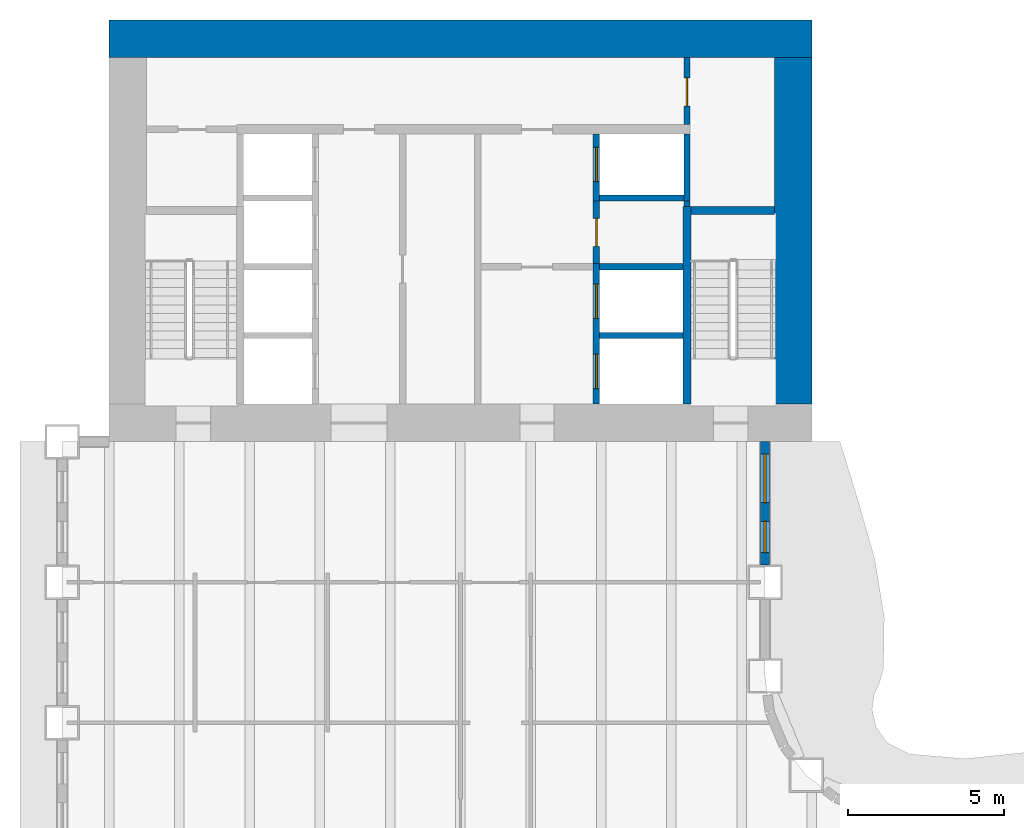
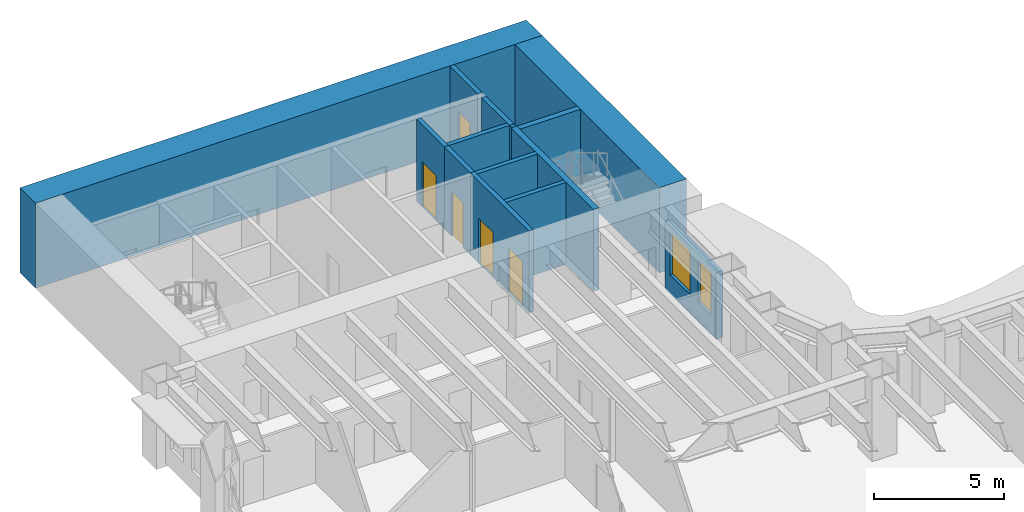
# One storey, part 9 of 16: 14 walls, 5 doors, 2 windows, 7 openings.
"""IFC4 building model written with IfcOpenShell, lengths in metres."""

from ifc_helpers import new_model, si_unit, direction, frame, frame_2d, origin, place, context, subcontext, project, spatial, rectangle, extrude, material, layer, layer_set, type_object, element, fill, save


model = new_model("IFC4")

# Units and contexts
model_context = context("Model", 3, precision=1e-05, world=origin(), true_north=direction((0.0, 1.0)))
body_context = subcontext(model_context, "Body", "Model", "MODEL_VIEW")
ifc_project = project(units=[si_unit("LENGTHUNIT", "METRE"), si_unit("AREAUNIT", "SQUARE_METRE"), si_unit("VOLUMEUNIT", "CUBIC_METRE"), si_unit("PLANEANGLEUNIT", "RADIAN"), si_unit("MASSUNIT", "GRAM", prefix="KILO")], contexts=[model_context])

# Site, building, storey
site_placement = place(None, origin())
site = spatial("IfcSite", under=ifc_project, at=site_placement, CompositionType="ELEMENT")
building_placement = place(site_placement, origin())
building = spatial("IfcBuilding", under=site, at=building_placement, Name="Sennacour Bend Tower", CompositionType="ELEMENT")
storey_placement = place(building_placement, frame((0.0, 0.0, 57.0)))
storey = spatial("IfcBuildingStorey", under=building, at=storey_placement, Name="L12", CompositionType="ELEMENT", Elevation=57.0)

# Walls
ifc_material_1 = material(Name="Concrete C80/95", Category="concrete")
ifc_layer_1 = layer(ifc_material_1, 1.199951171875, Name="Concrete C80/95", Category="concrete")
ifc_layer_set_1 = layer_set([ifc_layer_1], Name="Concrete C80/95")
wall_type_1 = type_object("IfcWallType", Name="Core wall 1200 C80/95", PredefinedType="SHEAR", material=ifc_layer_set_1)
wall_1_placement = place(storey_placement, frame((0.0, 48.89990234375, -0.14990234375), z_axis=(0.0, 0.0, 1.0), x_axis=(1.0, 0.0, 0.0)))
element("IfcWall", 1, at=wall_1_placement, inside=storey, type_object=wall_type_1, Name="Core B wall L12 N", PredefinedType="SHEAR", context=body_context, shape_type="SweptSolid", body=[
    extrude(rectangle(XDim=22.5, YDim=1.199951171875, at=frame_2d((11.25, 0.0))), origin(), (0.0, 0.0, 1.0), 4.0),
])
wall_2_placement = place(storey_placement, frame((21.89990234375, 37.199951171875, -0.14990234375), z_axis=(0.0, 0.0, 1.0), x_axis=(0.0, 1.0, 0.0)))
element("IfcWall", 2, at=wall_2_placement, inside=storey, type_object=wall_type_1, Name="Core B wall L12 E", PredefinedType="SHEAR", context=body_context, shape_type="SweptSolid", body=[
    extrude(rectangle(XDim=11.10009765625, YDim=1.199951171875, at=frame_2d((5.550048828125, 0.0))), origin(), (0.0, 0.0, 1.0), 4.0),
])

# Wall, opening, door
ifc_material_2 = material(Name="Fire-rated plasterboard partition on steel studs", Category="steel")
ifc_layer_2 = layer(ifc_material_2, 0.199951171875, Name="Fire-rated plasterboard partition on steel studs", Category="steel")
ifc_layer_set_2 = layer_set([ifc_layer_2], Name="Fire-rated plasterboard partition on steel studs")
wall_type_2 = type_object("IfcWallType", Name="Rated partition 200", PredefinedType="PARTITIONING", material=ifc_layer_set_2)
wall_3_placement = place(storey_placement, frame((15.60009765625, 41.699951171875, 0.0), z_axis=(0.0, 0.0, 1.0), x_axis=(0.0, 1.0, 0.0)))
wall_3 = element("IfcWall", 3, at=wall_3_placement, inside=storey, type_object=wall_type_2, Name="P-L12-W018", PredefinedType="PARTITIONING", context=body_context, shape_type="SweptSolid", body=[
    extrude(rectangle(XDim=2.0, YDim=0.199951171875, at=frame_2d((1.0, 0.0))), origin(), (0.0, 0.0, 1.0), 3.85009765625),
])
opening_1_placement = place(wall_3_placement, frame((0.550048828125, 0.0, 0.0)))
opening_1 = element("IfcOpeningElement", 4, at=opening_1_placement, cuts=wall_3, Name="Opening SV", PredefinedType="OPENING", context=body_context, shape_type="SweptSolid", body=[
    extrude(rectangle(XDim=0.89990234375, YDim=2.10009765625, at=frame_2d((0.449951171875, 1.050048828125))), frame((0.0, 0.10986328125, 0.0), z_axis=(0.0, -1.0, 0.0), x_axis=(1.0, 0.0, 0.0)), (0.0, 0.0, 1.0), 0.219970703125),
])
ifc_material_3 = material(Name="Painted steel", Category="steel")
door_type_1 = type_object("IfcDoorType", Name="DR-SERVICE-900", OperationType="NOTDEFINED", PredefinedType="DOOR", material=ifc_material_3)
door_1_placement = place(opening_1_placement, origin())
door_1 = element("IfcDoor", 5, at=door_1_placement, inside=storey, type_object=door_type_1, Name="Door", OperationType="SINGLE_SWING_RIGHT", OverallHeight=2.10009765625, OverallWidth=0.89990234375, PredefinedType="DOOR", context=body_context, shape_type="SweptSolid", body=[
    extrude(rectangle(XDim=0.89990234375, YDim=2.10009765625, at=frame_2d((0.449951171875, 1.050048828125))), frame((0.0, 0.02490234375, 0.0), z_axis=(0.0, -1.0, 0.0), x_axis=(1.0, 0.0, 0.0)), (0.0, 0.0, 1.0), 0.050048828125),
])
fill(opening_1, door_1)

# Wall
wall_4_placement = place(storey_placement, frame((18.5, 43.52490234375, 0.0), z_axis=(0.0, 0.0, 1.0), x_axis=(0.0, 1.0, 0.0)))
element("IfcWall", 6, at=wall_4_placement, inside=storey, type_object=wall_type_2, Name="P-L12-W022", PredefinedType="PARTITIONING", context=body_context, shape_type="SweptSolid", body=[
    extrude(rectangle(XDim=0.175048828125, YDim=0.199951171875, at=frame_2d((0.08740234375, 0.0))), origin(), (0.0, 0.0, 1.0), 3.85009765625),
])

# Wall, opening, door
wall_5_placement = place(storey_placement, frame((18.5, 46.14990234375, 0.0), z_axis=(0.0, 0.0, 1.0), x_axis=(0.0, 1.0, 0.0)))
wall_5 = element("IfcWall", 7, at=wall_5_placement, inside=storey, type_object=wall_type_2, Name="P-L12-W024", PredefinedType="PARTITIONING", context=body_context, shape_type="SweptSolid", body=[
    extrude(rectangle(XDim=2.150146484375, YDim=0.199951171875, at=frame_2d((1.0751953125, 0.0))), origin(), (0.0, 0.0, 1.0), 3.85009765625),
])
opening_2_placement = place(wall_5_placement, frame((0.60009765625, 0.0, 0.0)))
opening_2 = element("IfcOpeningElement", 8, at=opening_2_placement, cuts=wall_5, Name="Opening SV", PredefinedType="OPENING", context=body_context, shape_type="SweptSolid", body=[
    extrude(rectangle(XDim=0.89990234375, YDim=2.10009765625, at=frame_2d((0.449951171875, 1.050048828125))), frame((0.0, 0.10986328125, 0.0), z_axis=(0.0, -1.0, 0.0), x_axis=(1.0, 0.0, 0.0)), (0.0, 0.0, 1.0), 0.219970703125),
])
door_2_placement = place(opening_2_placement, origin())
door_2 = element("IfcDoor", 9, at=door_2_placement, inside=storey, type_object=door_type_1, Name="Door", OperationType="SINGLE_SWING_LEFT", OverallHeight=2.10009765625, OverallWidth=0.89990234375, PredefinedType="DOOR", context=body_context, shape_type="SweptSolid", body=[
    extrude(rectangle(XDim=0.89990234375, YDim=2.10009765625, at=frame_2d((0.449951171875, 1.050048828125))), frame((0.0, 0.02490234375, 0.0), z_axis=(0.0, -1.0, 0.0), x_axis=(1.0, 0.0, 0.0)), (0.0, 0.0, 1.0), 0.050048828125),
])
fill(opening_2, door_2)

# Wall, openings, windows
ifc_material_4 = material(Name="Warm limestone cladding", Category="masonry")
ifc_layer_3 = layer(ifc_material_4, 0.050048828125, Name="Warm limestone cladding", Category="masonry")
ifc_material_5 = material(Name="Precast concrete C40/50", Category="concrete")
ifc_layer_4 = layer(ifc_material_5, 0.25, Name="Precast concrete C40/50", Category="concrete")
ifc_layer_set_3 = layer_set([ifc_layer_3, ifc_layer_4], Name="Precast concrete C40/50 with limestone cladding")
wall_type_3 = type_object("IfcWallType", Name="STONE-CLAD PRECAST SPANDREL 300", PredefinedType="STANDARD", material=ifc_layer_set_3)
wall_6_placement = place(storey_placement, frame((21.0, 32.050048828125, 0.0), z_axis=(0.0, 0.0, 1.0), x_axis=(0.0, 1.0, 0.0)))
wall_6 = element("IfcWall", 10, at=wall_6_placement, inside=storey, type_object=wall_type_3, Name="Stone spandrel and pier wall L12 15.01", PredefinedType="STANDARD", context=body_context, shape_type="SweptSolid", body=[
    extrude(rectangle(XDim=3.949951171875, YDim=0.300048828125, at=frame_2d((1.97509765625, 0.0))), origin(), (0.0, 0.0, 1.0), 3.14404296875),
])
opening_3_placement = place(wall_6_placement, frame((0.39990234375, 0.0, 0.89990234375)))
opening_3 = element("IfcOpeningElement", 11, at=opening_3_placement, cuts=wall_6, Name="Opening W8", PredefinedType="OPENING", context=body_context, shape_type="SweptSolid", body=[
    extrude(rectangle(XDim=1.0, YDim=2.0, at=frame_2d((0.5, 1.0))), frame((0.0, 0.16015625, 0.0), z_axis=(0.0, -1.0, 0.0), x_axis=(1.0, 0.0, 0.0)), (0.0, 0.0, 1.0), 0.320068359375),
])
opening_4_placement = place(wall_6_placement, frame((2.0, 0.0, 0.89990234375)))
opening_4 = element("IfcOpeningElement", 12, at=opening_4_placement, cuts=wall_6, Name="Opening W9", PredefinedType="OPENING", context=body_context, shape_type="SweptSolid", body=[
    extrude(rectangle(XDim=1.550048828125, YDim=2.0, at=frame_2d((0.77490234375, 1.0))), frame((0.0, 0.16015625, 0.0), z_axis=(0.0, -1.0, 0.0), x_axis=(1.0, 0.0, 0.0)), (0.0, 0.0, 1.0), 0.320068359375),
])
ifc_material_6 = material(Name="Clear low-emissivity glass", Category="glass")
window_type_1 = type_object("IfcWindowType", Name="WIN-RIBBON-1000x2000", PartitioningType="SINGLE_PANEL", PredefinedType="WINDOW", material=ifc_material_6)
window_1_placement = place(opening_3_placement, origin())
window_1 = element("IfcWindow", 13, at=window_1_placement, inside=storey, type_object=window_type_1, Name="Ribbon window L12 15.01.0", OverallHeight=2.0, OverallWidth=1.0, PartitioningType="SINGLE_PANEL", PredefinedType="WINDOW", context=body_context, shape_type="SweptSolid", body=[
    extrude(rectangle(XDim=1.0, YDim=2.0, at=frame_2d((0.5, 1.0))), frame((0.0, 0.030029296875, 0.0), z_axis=(0.0, -1.0, 0.0), x_axis=(1.0, 0.0, 0.0)), (0.0, 0.0, 1.0), 0.06005859375),
])
fill(opening_3, window_1)
window_type_2 = type_object("IfcWindowType", Name="WIN-RIBBON-1550x2000", PartitioningType="SINGLE_PANEL", PredefinedType="WINDOW", material=ifc_material_6)
window_2_placement = place(opening_4_placement, origin())
window_2 = element("IfcWindow", 14, at=window_2_placement, inside=storey, type_object=window_type_2, Name="Ribbon window L12 15.01.1", OverallHeight=2.0, OverallWidth=1.550048828125, PartitioningType="SINGLE_PANEL", PredefinedType="WINDOW", context=body_context, shape_type="SweptSolid", body=[
    extrude(rectangle(XDim=1.550048828125, YDim=2.0, at=frame_2d((0.77490234375, 1.0))), frame((0.0, 0.030029296875, 0.0), z_axis=(0.0, -1.0, 0.0), x_axis=(1.0, 0.0, 0.0)), (0.0, 0.0, 1.0), 0.06005859375),
])
fill(opening_4, window_2)

# Wall, openings, doors
ifc_material_7 = material(Name="Concrete C50/60", Category="concrete")
ifc_layer_5 = layer(ifc_material_7, 0.199951171875, Name="Concrete C50/60", Category="concrete")
ifc_layer_set_4 = layer_set([ifc_layer_5], Name="Concrete C50/60")
wall_type_4 = type_object("IfcWallType", Name="Shaft wall 200", PredefinedType="SOLIDWALL", material=ifc_layer_set_4)
wall_7_placement = place(storey_placement, frame((15.60009765625, 37.199951171875, 0.0), z_axis=(0.0, 0.0, 1.0), x_axis=(0.0, 1.0, 0.0)))
wall_7 = element("IfcWall", 15, at=wall_7_placement, inside=storey, type_object=wall_type_4, Name="P-L12-W017", PredefinedType="SOLIDWALL", context=body_context, shape_type="SweptSolid", body=[
    extrude(rectangle(XDim=4.5, YDim=0.199951171875, at=frame_2d((2.25, 0.0))), origin(), (0.0, 0.0, 1.0), 3.85009765625),
])
opening_5_placement = place(wall_7_placement, frame((0.5, 0.0, 0.011962890625)))
opening_5 = element("IfcOpeningElement", 16, at=opening_5_placement, cuts=wall_7, Name="Opening FLD", PredefinedType="OPENING", context=body_context, shape_type="SweptSolid", body=[
    extrude(rectangle(XDim=1.10009765625, YDim=2.10009765625, at=frame_2d((0.550048828125, 1.050048828125))), frame((0.0, 0.10986328125, 0.0), z_axis=(0.0, -1.0, 0.0), x_axis=(1.0, 0.0, 0.0)), (0.0, 0.0, 1.0), 0.219970703125),
])
opening_6_placement = place(wall_7_placement, frame((2.75, 0.0, 0.011962890625)))
opening_6 = element("IfcOpeningElement", 17, at=opening_6_placement, cuts=wall_7, Name="Opening FLD", PredefinedType="OPENING", context=body_context, shape_type="SweptSolid", body=[
    extrude(rectangle(XDim=1.10009765625, YDim=2.10009765625, at=frame_2d((0.550048828125, 1.050048828125))), frame((0.0, 0.10986328125, 0.0), z_axis=(0.0, -1.0, 0.0), x_axis=(1.0, 0.0, 0.0)), (0.0, 0.0, 1.0), 0.219970703125),
])
ifc_material_8 = material(Name="Stainless steel", Category="steel")
door_type_2 = type_object("IfcDoorType", Name="DR-FF-LANDING-1100", OperationType="NOTDEFINED", PredefinedType="DOOR", material=ifc_material_8)
door_3_placement = place(opening_5_placement, origin())
door_3 = element("IfcDoor", 18, at=door_3_placement, inside=storey, type_object=door_type_2, Name="Fire service lift landing door FB1", OperationType="SLIDING_TO_LEFT", OverallHeight=2.10009765625, OverallWidth=1.10009765625, PredefinedType="DOOR", context=body_context, shape_type="SweptSolid", body=[
    extrude(rectangle(XDim=1.10009765625, YDim=2.10009765625, at=frame_2d((0.550048828125, 1.050048828125))), frame((0.0, 0.02490234375, 0.0), z_axis=(0.0, -1.0, 0.0), x_axis=(1.0, 0.0, 0.0)), (0.0, 0.0, 1.0), 0.050048828125),
])
fill(opening_5, door_3)
door_4_placement = place(opening_6_placement, origin())
door_4 = element("IfcDoor", 19, at=door_4_placement, inside=storey, type_object=door_type_2, Name="Fire service lift landing door FB2", OperationType="SLIDING_TO_RIGHT", OverallHeight=2.10009765625, OverallWidth=1.10009765625, PredefinedType="DOOR", context=body_context, shape_type="SweptSolid", body=[
    extrude(rectangle(XDim=1.10009765625, YDim=2.10009765625, at=frame_2d((0.550048828125, 1.050048828125))), frame((0.0, 0.02490234375, 0.0), z_axis=(0.0, -1.0, 0.0), x_axis=(1.0, 0.0, 0.0)), (0.0, 0.0, 1.0), 0.050048828125),
])
fill(opening_6, door_4)

# Wall, opening, door
wall_8_placement = place(storey_placement, frame((15.60009765625, 43.699951171875, 0.0), z_axis=(0.0, 0.0, 1.0), x_axis=(0.0, 1.0, 0.0)))
wall_8 = element("IfcWall", 20, at=wall_8_placement, inside=storey, type_object=wall_type_4, Name="P-L12-W019", PredefinedType="SOLIDWALL", context=body_context, shape_type="SweptSolid", body=[
    extrude(rectangle(XDim=2.150146484375, YDim=0.199951171875, at=frame_2d((1.0751953125, 0.0))), origin(), (0.0, 0.0, 1.0), 3.85009765625),
])
opening_7_placement = place(wall_8_placement, frame((0.625, 0.0, 0.011962890625)))
opening_7 = element("IfcOpeningElement", 21, at=opening_7_placement, cuts=wall_8, Name="Opening LD", PredefinedType="OPENING", context=body_context, shape_type="SweptSolid", body=[
    extrude(rectangle(XDim=1.10009765625, YDim=2.10009765625, at=frame_2d((0.550048828125, 1.050048828125))), frame((0.0, 0.10986328125, 0.0), z_axis=(0.0, -1.0, 0.0), x_axis=(1.0, 0.0, 0.0)), (0.0, 0.0, 1.0), 0.219970703125),
])
door_type_3 = type_object("IfcDoorType", Name="DR-LANDING-1100", OperationType="NOTDEFINED", PredefinedType="DOOR", material=ifc_material_8)
door_5_placement = place(opening_7_placement, origin())
door_5 = element("IfcDoor", 22, at=door_5_placement, inside=storey, type_object=door_type_3, Name="Lift landing door LB5", OperationType="SLIDING_TO_LEFT", OverallHeight=2.10009765625, OverallWidth=1.10009765625, PredefinedType="DOOR", context=body_context, shape_type="SweptSolid", body=[
    extrude(rectangle(XDim=1.10009765625, YDim=2.10009765625, at=frame_2d((0.550048828125, 1.050048828125))), frame((0.0, 0.02490234375, 0.0), z_axis=(0.0, -1.0, 0.0), x_axis=(1.0, 0.0, 0.0)), (0.0, 0.0, 1.0), 0.050048828125),
])
fill(opening_7, door_5)

# Walls
wall_9_placement = place(storey_placement, frame((18.5, 43.699951171875, 0.0), z_axis=(0.0, 0.0, 1.0), x_axis=(0.0, 1.0, 0.0)))
element("IfcWall", 23, at=wall_9_placement, inside=storey, type_object=wall_type_4, Name="P-L12-W023", PredefinedType="SOLIDWALL", context=body_context, shape_type="SweptSolid", body=[
    extrude(rectangle(XDim=2.150146484375, YDim=0.199951171875, at=frame_2d((1.0751953125, 0.0))), origin(), (0.0, 0.0, 1.0), 3.85009765625),
])
for number, where, z_axis, x_axis, name in (
    (24, (15.699951171875, 39.39990234375, 0.0), (0.0, 0.0, 1.0), (1.0, 0.0, 0.0), "P-L12-W077"),
    (25, (15.699951171875, 41.60009765625, 0.0), (0.0, 0.0, 1.0), (1.0, 0.0, 0.0), "P-L12-W080"),
):
    element("IfcWall", number, at=place(storey_placement, frame(where, z_axis=z_axis, x_axis=x_axis)), inside=storey, type_object=wall_type_4, Name=name, PredefinedType="SOLIDWALL", context=body_context, shape_type="SweptSolid", body=[
        extrude(rectangle(XDim=2.675048828125, YDim=0.199951171875, at=frame_2d((1.33740234375, 0.0))), origin(), (0.0, 0.0, 1.0), 3.85009765625),
    ])
wall_10_placement = place(storey_placement, frame((15.699951171875, 43.800048828125, 0.0), z_axis=(0.0, 0.0, 1.0), x_axis=(1.0, 0.0, 0.0)))
element("IfcWall", 26, at=wall_10_placement, inside=storey, type_object=wall_type_4, Name="P-L12-W084", PredefinedType="SOLIDWALL", context=body_context, shape_type="SweptSolid", body=[
    extrude(rectangle(XDim=2.699951171875, YDim=0.199951171875, at=frame_2d((1.35009765625, 0.0))), origin(), (0.0, 0.0, 1.0), 3.85009765625),
])
ifc_material_9 = material(Name="Concrete C60/75", Category="concrete")
ifc_layer_6 = layer(ifc_material_9, 0.25, Name="Concrete C60/75", Category="concrete")
ifc_layer_set_5 = layer_set([ifc_layer_6], Name="Concrete C60/75")
wall_type_5 = type_object("IfcWallType", Name="Stair wall 250", PredefinedType="SHEAR", material=ifc_layer_set_5)
wall_11_placement = place(storey_placement, frame((18.5, 37.199951171875, 0.0), z_axis=(0.0, 0.0, 1.0), x_axis=(0.0, 1.0, 0.0)))
element("IfcWall", 27, at=wall_11_placement, inside=storey, type_object=wall_type_5, Name="P-L12-W021", PredefinedType="SHEAR", context=body_context, shape_type="SweptSolid", body=[
    extrude(rectangle(XDim=6.324951171875, YDim=0.25, at=frame_2d((3.16259765625, 0.0))), origin(), (0.0, 0.0, 1.0), 3.85009765625),
])
wall_12_placement = place(storey_placement, frame((18.625, 43.39990234375, 0.0), z_axis=(0.0, 0.0, 1.0), x_axis=(1.0, 0.0, 0.0)))
element("IfcWall", 28, at=wall_12_placement, inside=storey, type_object=wall_type_5, Name="P-L12-W082", PredefinedType="SHEAR", context=body_context, shape_type="SweptSolid", body=[
    extrude(rectangle(XDim=2.675048828125, YDim=0.25, at=frame_2d((1.33740234375, 0.0))), origin(), (0.0, 0.0, 1.0), 3.85009765625),
])

save(model, "model.ifc")
